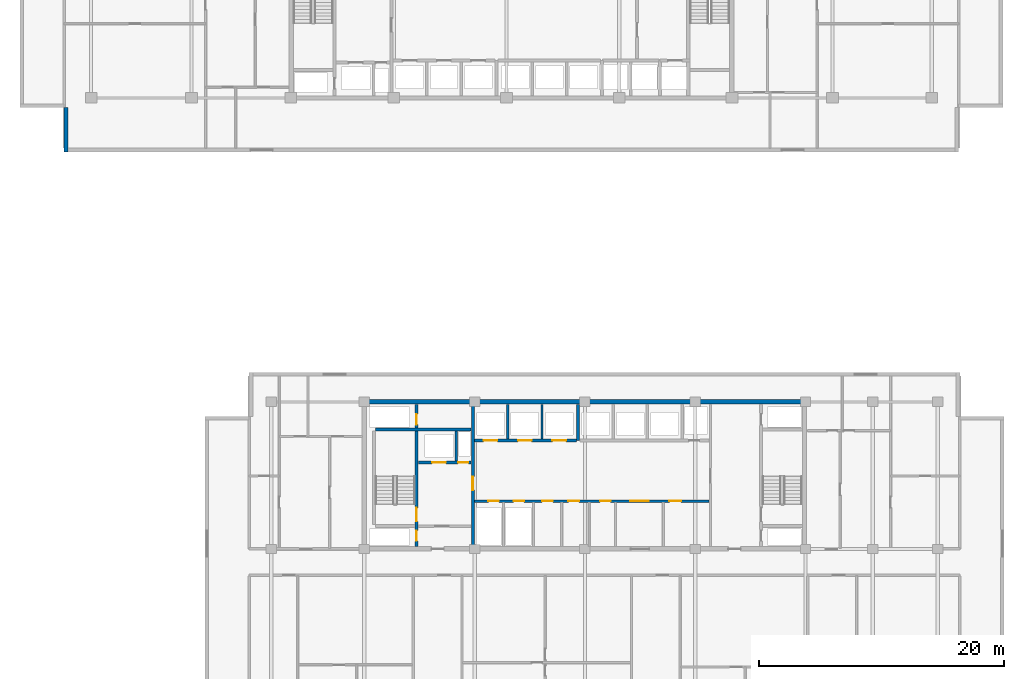
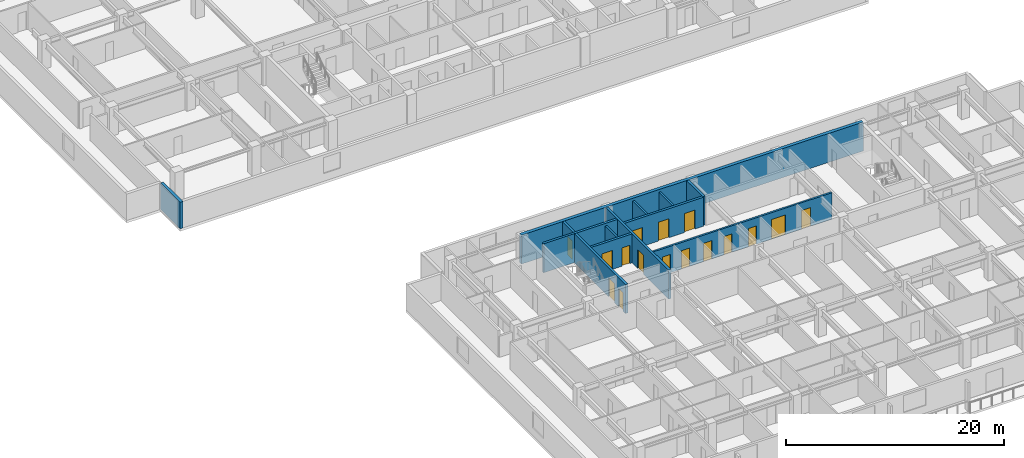
# One storey, part 7 of 22: 16 doors, 12 walls, 16 openings.
"""IFC4 building model written with IfcOpenShell, lengths in metres."""

from ifc_helpers import new_model, si_unit, direction, frame, frame_2d, origin, place, context, subcontext, project, spatial, rectangle, extrude, material, layer, layer_set, type_object, element, fill, save


model = new_model("IFC4")

# Units and contexts
model_context = context("Model", 3, precision=1e-05, world=origin(), true_north=direction((0.0, 1.0)))
body_context = subcontext(model_context, "Body", "Model", "MODEL_VIEW")
ifc_project = project(units=[si_unit("LENGTHUNIT", "METRE"), si_unit("AREAUNIT", "SQUARE_METRE"), si_unit("VOLUMEUNIT", "CUBIC_METRE"), si_unit("PLANEANGLEUNIT", "RADIAN"), si_unit("MASSUNIT", "GRAM", prefix="KILO")], contexts=[model_context])

# Site, building, storey
site_placement = place(None, origin())
site = spatial("IfcSite", under=ifc_project, at=site_placement, CompositionType="ELEMENT")
building_placement = place(site_placement, origin())
building = spatial("IfcBuilding", under=site, at=building_placement, Name="Korimba Cascade Residences", CompositionType="ELEMENT")
storey_placement = place(building_placement, frame((0.0, 0.0, 87.300048828125)))
storey = spatial("IfcBuildingStorey", under=building, at=storey_placement, Name="L24", CompositionType="ELEMENT", Elevation=87.300048828125)

# Walls
ifc_material_1 = material(Name="Precast concrete C40/50", Category="concrete")
ifc_layer_1 = layer(ifc_material_1, 0.300048828125)
ifc_layer_set_1 = layer_set([ifc_layer_1], Name="Precast concrete C40/50")
wall_type_1 = type_object("IfcWallType", Name="EW-STONE-300", PredefinedType="STANDARD", material=ifc_layer_set_1)
wall_1_placement = place(storey_placement, frame((57.75, 54.39990234375, 0.0), z_axis=(0.0, 0.0, 1.0), x_axis=(0.0, -1.0, 0.0)))
element("IfcWall", 1, at=wall_1_placement, inside=storey, type_object=wall_type_1, Name="L24 T1 Perimeter Stone Wall E11", PredefinedType="STANDARD", context=body_context, shape_type="SweptSolid", body=[
    extrude(rectangle(XDim=3.599853515625, YDim=0.300048828125, at=frame_2d((1.7998046875, 0.0))), origin(), (0.0, 0.0, 1.0), 2.969970703125),
])
ifc_material_2 = material(Name="Concrete C65/80", Category="concrete")
ifc_layer_2 = layer(ifc_material_2, 0.35009765625)
ifc_layer_set_2 = layer_set([ifc_layer_2], Name="Concrete C65/80")
wall_type_2 = type_object("IfcWallType", Name="WAL-CORE-350", PredefinedType="SHEAR", material=ifc_layer_set_2)
wall_2_placement = place(storey_placement, frame((81.925048828125, 30.39990234375, 0.0), z_axis=(0.0, 0.0, 1.0), x_axis=(1.0, 0.0, 0.0)))
element("IfcWall", 2, at=wall_2_placement, inside=storey, type_object=wall_type_2, Name="L24 Core Shear Wall CW-L24-T2-N", PredefinedType="SHEAR", context=body_context, shape_type="SweptSolid", body=[
    extrude(rectangle(XDim=36.264892578125, YDim=0.35009765625, at=frame_2d((18.13232421875, 0.0))), origin(), (0.0, 0.0, 1.0), 3.25),
])
ifc_material_3 = material(Name="Concrete C40/50", Category="concrete")
ifc_layer_3 = layer(ifc_material_3, 0.199951171875)
ifc_layer_set_3 = layer_set([ifc_layer_3], Name="Concrete C40/50")
wall_type_3 = type_object("IfcWallType", Name="WAL-PART-200", PredefinedType="PARTITIONING", material=ifc_layer_set_3)
wall_3_placement = place(storey_placement, frame((89.60009765625, 25.580078125, 0.0), z_axis=(0.0, 0.0, 1.0), x_axis=(0.0, 1.0, 0.0)))
element("IfcWall", 3, at=wall_3_placement, inside=storey, type_object=wall_type_3, Name="L24 Partition Wall CW-L24-T2-FFLDIV", PredefinedType="PARTITIONING", context=body_context, shape_type="SweptSolid", body=[
    extrude(rectangle(XDim=2.419921875, YDim=0.199951171875, at=frame_2d((1.2099609375, 0.0))), origin(), (0.0, 0.0, 1.0), 2.969970703125),
])
for number, where, z_axis, x_axis, name in (
    (4, (93.800048828125, 27.3798828125, 0.0), (0.0, 0.0, 1.0), (0.0, 1.0, 0.0), "L24 Partition Wall CW-L24-T2-B1D1"),
    (5, (96.60009765625, 27.3798828125, 0.0), (0.0, 0.0, 1.0), (0.0, 1.0, 0.0), "L24 Partition Wall CW-L24-T2-B1D2"),
):
    element("IfcWall", number, at=place(storey_placement, frame(where, z_axis=z_axis, x_axis=x_axis)), inside=storey, type_object=wall_type_3, Name=name, PredefinedType="PARTITIONING", context=body_context, shape_type="SweptSolid", body=[
        extrude(rectangle(XDim=2.820068359375, YDim=0.199951171875, at=frame_2d((1.41015625, 0.0))), origin(), (0.0, 0.0, 1.0), 2.969970703125),
    ])

# Wall, openings, doors
wall_4_placement = place(storey_placement, frame((91.080078125, 22.300048828125, 0.0), z_axis=(0.0, 0.0, 1.0), x_axis=(1.0, 0.0, 0.0)))
wall_4 = element("IfcWall", 6, at=wall_4_placement, inside=storey, type_object=wall_type_3, Name="L24 Partition Wall CW-L24-T2-SRVROW", PredefinedType="PARTITIONING", context=body_context, shape_type="SweptSolid", body=[
    extrude(rectangle(XDim=19.139892578125, YDim=0.199951171875, at=frame_2d((9.56982421875, 0.0))), origin(), (0.0, 0.0, 1.0), 2.969970703125),
])
opening_1_placement = place(wall_4_placement, frame((1.14990234375, 0.0, 0.0)))
opening_1 = element("IfcOpeningElement", 7, at=opening_1_placement, cuts=wall_4, Name="Opening D-RS1", PredefinedType="OPENING", context=body_context, shape_type="SweptSolid", body=[
    extrude(rectangle(XDim=0.85009765625, YDim=2.050048828125, at=frame_2d((0.425048828125, 1.02490234375))), frame((0.0, 0.10986328125, 0.0), z_axis=(0.0, -1.0, 0.0), x_axis=(1.0, 0.0, 0.0)), (0.0, 0.0, 1.0), 0.219970703125),
])
opening_2_placement = place(wall_4_placement, frame((3.199951171875, 0.0, 0.0)))
opening_2 = element("IfcOpeningElement", 8, at=opening_2_placement, cuts=wall_4, Name="Opening D-RS1", PredefinedType="OPENING", context=body_context, shape_type="SweptSolid", body=[
    extrude(rectangle(XDim=0.85009765625, YDim=2.050048828125, at=frame_2d((0.425048828125, 1.02490234375))), frame((0.0, 0.10986328125, 0.0), z_axis=(0.0, -1.0, 0.0), x_axis=(1.0, 0.0, 0.0)), (0.0, 0.0, 1.0), 0.219970703125),
])
opening_3_placement = place(wall_4_placement, frame((12.719970703125, 0.0, 0.0)))
opening_3 = element("IfcOpeningElement", 9, at=opening_3_placement, cuts=wall_4, Name="Opening D-FD8", PredefinedType="OPENING", context=body_context, shape_type="SweptSolid", body=[
    extrude(rectangle(XDim=1.5, YDim=2.199951171875, at=frame_2d((0.75, 1.10009765625))), frame((0.0, 0.10986328125, 0.0), z_axis=(0.0, -1.0, 0.0), x_axis=(1.0, 0.0, 0.0)), (0.0, 0.0, 1.0), 0.219970703125),
])
opening_4_placement = place(wall_4_placement, frame((5.52001953125, 0.0, 0.0)))
opening_4 = element("IfcOpeningElement", 10, at=opening_4_placement, cuts=wall_4, Name="Opening D-IN2", PredefinedType="OPENING", context=body_context, shape_type="SweptSolid", body=[
    extrude(rectangle(XDim=0.8798828125, YDim=2.06005859375, at=frame_2d((0.43994140625, 1.030029296875))), frame((0.0, 0.10986328125, 0.0), z_axis=(0.0, -1.0, 0.0), x_axis=(1.0, 0.0, 0.0)), (0.0, 0.0, 1.0), 0.219970703125),
])
opening_5_placement = place(wall_4_placement, frame((7.669921875, 0.0, 0.0)))
opening_5 = element("IfcOpeningElement", 11, at=opening_5_placement, cuts=wall_4, Name="Opening D-IN2", PredefinedType="OPENING", context=body_context, shape_type="SweptSolid", body=[
    extrude(rectangle(XDim=0.8798828125, YDim=2.06005859375, at=frame_2d((0.43994140625, 1.030029296875))), frame((0.0, 0.10986328125, 0.0), z_axis=(0.0, -1.0, 0.0), x_axis=(1.0, 0.0, 0.0)), (0.0, 0.0, 1.0), 0.219970703125),
])
opening_6_placement = place(wall_4_placement, frame((10.27001953125, 0.0, 0.0)))
opening_6 = element("IfcOpeningElement", 12, at=opening_6_placement, cuts=wall_4, Name="Opening D-RS1", PredefinedType="OPENING", context=body_context, shape_type="SweptSolid", body=[
    extrude(rectangle(XDim=0.85009765625, YDim=2.050048828125, at=frame_2d((0.425048828125, 1.02490234375))), frame((0.0, 0.10986328125, 0.0), z_axis=(0.0, -1.0, 0.0), x_axis=(1.0, 0.0, 0.0)), (0.0, 0.0, 1.0), 0.219970703125),
])
opening_7_placement = place(wall_4_placement, frame((15.919921875, 0.0, 0.0)))
opening_7 = element("IfcOpeningElement", 13, at=opening_7_placement, cuts=wall_4, Name="Opening D-AC1", PredefinedType="OPENING", context=body_context, shape_type="SweptSolid", body=[
    extrude(rectangle(XDim=0.9599609375, YDim=2.10009765625, at=frame_2d((0.47998046875, 1.050048828125))), frame((0.0, 0.10986328125, 0.0), z_axis=(0.0, -1.0, 0.0), x_axis=(1.0, 0.0, 0.0)), (0.0, 0.0, 1.0), 0.219970703125),
])
ifc_material_4 = material(Name="Accessible Acoustic Timber WC Door", Category="wood")
door_type_1 = type_object("IfcDoorType", Name="DR-ACC-950", OperationType="NOTDEFINED", PredefinedType="DOOR", material=ifc_material_4)
door_1_placement = place(opening_7_placement, origin())
door_1 = element("IfcDoor", 14, at=door_1_placement, inside=storey, type_object=door_type_1, Name="L24 T2 Accessible Staff WC Door", OperationType="SINGLE_SWING_RIGHT", OverallHeight=2.10009765625, OverallWidth=0.9599609375, PredefinedType="DOOR", context=body_context, shape_type="SweptSolid", body=[
    extrude(rectangle(XDim=0.9599609375, YDim=2.10009765625, at=frame_2d((0.47998046875, 1.050048828125))), frame((0.0, 0.02490234375, 0.0), z_axis=(0.0, -1.0, 0.0), x_axis=(1.0, 0.0, 0.0)), (0.0, 0.0, 1.0), 0.050048828125),
])
fill(opening_7, door_1)
ifc_material_5 = material(Name="Fire-Rated Steel Riser Access Door", Category="steel")
door_type_2 = type_object("IfcDoorType", Name="DR-FD60-850", OperationType="NOTDEFINED", PredefinedType="DOOR", material=ifc_material_5)
door_2_placement = place(opening_1_placement, origin())
door_2 = element("IfcDoor", 15, at=door_2_placement, inside=storey, type_object=door_type_2, Name="L24 T2 Electrical Riser Door", OperationType="SINGLE_SWING_LEFT", OverallHeight=2.050048828125, OverallWidth=0.85009765625, PredefinedType="DOOR", context=body_context, shape_type="SweptSolid", body=[
    extrude(rectangle(XDim=0.85009765625, YDim=2.050048828125, at=frame_2d((0.425048828125, 1.02490234375))), frame((0.0, 0.02490234375, 0.0), z_axis=(0.0, -1.0, 0.0), x_axis=(1.0, 0.0, 0.0)), (0.0, 0.0, 1.0), 0.050048828125),
])
fill(opening_1, door_2)
door_3_placement = place(opening_2_placement, origin())
door_3 = element("IfcDoor", 16, at=door_3_placement, inside=storey, type_object=door_type_2, Name="L24 T2 Plumbing Riser Door", OperationType="SINGLE_SWING_RIGHT", OverallHeight=2.050048828125, OverallWidth=0.85009765625, PredefinedType="DOOR", context=body_context, shape_type="SweptSolid", body=[
    extrude(rectangle(XDim=0.85009765625, YDim=2.050048828125, at=frame_2d((0.425048828125, 1.02490234375))), frame((0.0, 0.02490234375, 0.0), z_axis=(0.0, -1.0, 0.0), x_axis=(1.0, 0.0, 0.0)), (0.0, 0.0, 1.0), 0.050048828125),
])
fill(opening_2, door_3)
door_4_placement = place(opening_6_placement, origin())
door_4 = element("IfcDoor", 17, at=door_4_placement, inside=storey, type_object=door_type_2, Name="L24 T2 IT Room Door", OperationType="SINGLE_SWING_LEFT", OverallHeight=2.050048828125, OverallWidth=0.85009765625, PredefinedType="DOOR", context=body_context, shape_type="SweptSolid", body=[
    extrude(rectangle(XDim=0.85009765625, YDim=2.050048828125, at=frame_2d((0.425048828125, 1.02490234375))), frame((0.0, 0.02490234375, 0.0), z_axis=(0.0, -1.0, 0.0), x_axis=(1.0, 0.0, 0.0)), (0.0, 0.0, 1.0), 0.050048828125),
])
fill(opening_6, door_4)
ifc_material_6 = material(Name="Fire-Rated Glazed Lift Lobby Double Door", Category="glass")
door_type_3 = type_object("IfcDoorType", Name="DR-FD90-1500", OperationType="NOTDEFINED", PredefinedType="DOOR", material=ifc_material_6)
door_5_placement = place(opening_3_placement, origin())
door_5 = element("IfcDoor", 18, at=door_5_placement, inside=storey, type_object=door_type_3, Name="L24 T2 Lift Lobby Foyer Door", OperationType="DOUBLE_DOOR_SINGLE_SWING", OverallHeight=2.199951171875, OverallWidth=1.5, PredefinedType="DOOR", context=body_context, shape_type="SweptSolid", body=[
    extrude(rectangle(XDim=1.5, YDim=2.199951171875, at=frame_2d((0.75, 1.10009765625))), frame((0.0, 0.02490234375, 0.0), z_axis=(0.0, -1.0, 0.0), x_axis=(1.0, 0.0, 0.0)), (0.0, 0.0, 1.0), 0.050048828125),
])
fill(opening_3, door_5)
ifc_material_7 = material(Name="Acoustic Timber Bedroom Door", Category="wood")
door_type_4 = type_object("IfcDoorType", Name="DR-INT-880", OperationType="NOTDEFINED", PredefinedType="DOOR", material=ifc_material_7)
door_6_placement = place(opening_4_placement, origin())
door_6 = element("IfcDoor", 19, at=door_6_placement, inside=storey, type_object=door_type_4, Name="L24 T2 Cleaners Door", OperationType="SINGLE_SWING_LEFT", OverallHeight=2.06005859375, OverallWidth=0.8798828125, PredefinedType="DOOR", context=body_context, shape_type="SweptSolid", body=[
    extrude(rectangle(XDim=0.8798828125, YDim=2.06005859375, at=frame_2d((0.43994140625, 1.030029296875))), frame((0.0, 0.02490234375, 0.0), z_axis=(0.0, -1.0, 0.0), x_axis=(1.0, 0.0, 0.0)), (0.0, 0.0, 1.0), 0.050048828125),
])
fill(opening_4, door_6)
door_7_placement = place(opening_5_placement, origin())
door_7 = element("IfcDoor", 20, at=door_7_placement, inside=storey, type_object=door_type_4, Name="L24 T2 Pantry Door", OperationType="SINGLE_SWING_RIGHT", OverallHeight=2.06005859375, OverallWidth=0.8798828125, PredefinedType="DOOR", context=body_context, shape_type="SweptSolid", body=[
    extrude(rectangle(XDim=0.8798828125, YDim=2.06005859375, at=frame_2d((0.43994140625, 1.030029296875))), frame((0.0, 0.02490234375, 0.0), z_axis=(0.0, -1.0, 0.0), x_axis=(1.0, 0.0, 0.0)), (0.0, 0.0, 1.0), 0.050048828125),
])
fill(opening_5, door_7)

ifc_material_8 = material(Name="Concrete C50/60", Category="concrete")
ifc_layer_4 = layer(ifc_material_8, 0.25)
ifc_layer_set_4 = layer_set([ifc_layer_4], Name="Concrete C50/60")
wall_type_4 = type_object("IfcWallType", Name="WAL-SHAFT-250", PredefinedType="SHEAR", material=ifc_layer_set_4)
wall_5_placement = place(storey_placement, frame((86.364990234375, 18.60009765625, 0.0), z_axis=(0.0, 0.0, 1.0), x_axis=(0.0, 1.0, 0.0)))
wall_5 = element("IfcWall", 21, at=wall_5_placement, inside=storey, type_object=wall_type_4, Name="L24 Core Shear Wall CW-L24-T2-STE1E", PredefinedType="SHEAR", context=body_context, shape_type="SweptSolid", body=[
    extrude(rectangle(XDim=11.599853515625, YDim=0.25, at=frame_2d((5.7998046875, 0.0))), origin(), (0.0, 0.0, 1.0), 3.25),
])
opening_8_placement = place(wall_5_placement, frame((0.449951171875, 0.0, 0.0)))
opening_8 = element("IfcOpeningElement", 22, at=opening_8_placement, cuts=wall_5, Name="Opening D-RS1", PredefinedType="OPENING", context=body_context, shape_type="SweptSolid", body=[
    extrude(rectangle(XDim=0.85009765625, YDim=2.050048828125, at=frame_2d((0.425048828125, 1.02490234375))), frame((0.0, 0.135009765625, 0.0), z_axis=(0.0, -1.0, 0.0), x_axis=(1.0, 0.0, 0.0)), (0.0, 0.0, 1.0), 0.27001953125),
])
opening_9_placement = place(wall_5_placement, frame((2.050048828125, 0.0, 0.0)))
opening_9 = element("IfcOpeningElement", 23, at=opening_9_placement, cuts=wall_5, Name="Opening D-FD1", PredefinedType="OPENING", context=body_context, shape_type="SweptSolid", body=[
    extrude(rectangle(XDim=1.10009765625, YDim=2.10009765625, at=frame_2d((0.550048828125, 1.050048828125))), frame((0.0, 0.135009765625, 0.0), z_axis=(0.0, -1.0, 0.0), x_axis=(1.0, 0.0, 0.0)), (0.0, 0.0, 1.0), 0.27001953125),
])
opening_10_placement = place(wall_5_placement, frame((9.949951171875, 0.0, 0.0)))
opening_10 = element("IfcOpeningElement", 24, at=opening_10_placement, cuts=wall_5, Name="Opening D-RS1", PredefinedType="OPENING", context=body_context, shape_type="SweptSolid", body=[
    extrude(rectangle(XDim=0.85009765625, YDim=2.050048828125, at=frame_2d((0.425048828125, 1.02490234375))), frame((0.0, 0.135009765625, 0.0), z_axis=(0.0, -1.0, 0.0), x_axis=(1.0, 0.0, 0.0)), (0.0, 0.0, 1.0), 0.27001953125),
])
ifc_material_9 = material(Name="Fire-Rated Steel Core Door", Category="steel")
door_type_5 = type_object("IfcDoorType", Name="DR-FD120-1100", OperationType="NOTDEFINED", PredefinedType="DOOR", material=ifc_material_9)
door_8_placement = place(opening_9_placement, origin())
door_8 = element("IfcDoor", 25, at=door_8_placement, inside=storey, type_object=door_type_5, Name="L24 Fire Stair ST-E1 Door", OperationType="SINGLE_SWING_LEFT", OverallHeight=2.10009765625, OverallWidth=1.10009765625, PredefinedType="DOOR", context=body_context, shape_type="SweptSolid", body=[
    extrude(rectangle(XDim=1.10009765625, YDim=2.10009765625, at=frame_2d((0.550048828125, 1.050048828125))), frame((0.0, 0.02490234375, 0.0), z_axis=(0.0, -1.0, 0.0), x_axis=(1.0, 0.0, 0.0)), (0.0, 0.0, 1.0), 0.050048828125),
])
fill(opening_9, door_8)
door_9_placement = place(opening_8_placement, origin())
door_9 = element("IfcDoor", 26, at=door_9_placement, inside=storey, type_object=door_type_2, Name="L24 T2 Hydrant Riser Door", OperationType="SINGLE_SWING_RIGHT", OverallHeight=2.050048828125, OverallWidth=0.85009765625, PredefinedType="DOOR", context=body_context, shape_type="SweptSolid", body=[
    extrude(rectangle(XDim=0.85009765625, YDim=2.050048828125, at=frame_2d((0.425048828125, 1.02490234375))), frame((0.0, 0.02490234375, 0.0), z_axis=(0.0, -1.0, 0.0), x_axis=(1.0, 0.0, 0.0)), (0.0, 0.0, 1.0), 0.050048828125),
])
fill(opening_8, door_9)
door_10_placement = place(opening_10_placement, origin())
door_10 = element("IfcDoor", 27, at=door_10_placement, inside=storey, type_object=door_type_2, Name="L24 T2 Smoke Shaft Door", OperationType="SINGLE_SWING_RIGHT", OverallHeight=2.050048828125, OverallWidth=0.85009765625, PredefinedType="DOOR", context=body_context, shape_type="SweptSolid", body=[
    extrude(rectangle(XDim=0.85009765625, YDim=2.050048828125, at=frame_2d((0.425048828125, 1.02490234375))), frame((0.0, 0.02490234375, 0.0), z_axis=(0.0, -1.0, 0.0), x_axis=(1.0, 0.0, 0.0)), (0.0, 0.0, 1.0), 0.050048828125),
])
fill(opening_10, door_10)

# Wall
wall_6_placement = place(storey_placement, frame((83.0, 28.125, 0.0), z_axis=(0.0, 0.0, 1.0), x_axis=(1.0, 0.0, 0.0)))
element("IfcWall", 28, at=wall_6_placement, inside=storey, type_object=wall_type_4, Name="L24 Core Shear Wall CW-L24-T2-STE1N", PredefinedType="SHEAR", context=body_context, shape_type="SweptSolid", body=[
    extrude(rectangle(XDim=7.820068359375, YDim=0.25, at=frame_2d((3.91015625, 0.0))), origin(), (0.0, 0.0, 1.0), 3.25),
])

# Wall, openings, doors
wall_7_placement = place(storey_placement, frame((86.5, 25.449951171875, 0.0), z_axis=(0.0, 0.0, 1.0), x_axis=(1.0, 0.0, 0.0)))
wall_7 = element("IfcWall", 29, at=wall_7_placement, inside=storey, type_object=wall_type_4, Name="L24 Core Shear Wall CW-L24-T2-FFLN", PredefinedType="SHEAR", context=body_context, shape_type="SweptSolid", body=[
    extrude(rectangle(XDim=4.320068359375, YDim=0.25, at=frame_2d((2.16015625, 0.0))), origin(), (0.0, 0.0, 1.0), 3.25),
])
opening_11_placement = place(wall_7_placement, frame((1.139892578125, 0.0, 0.0)))
opening_11 = element("IfcOpeningElement", 30, at=opening_11_placement, cuts=wall_7, Name="Opening LD-01", PredefinedType="OPENING", context=body_context, shape_type="SweptSolid", body=[
    extrude(rectangle(XDim=1.1201171875, YDim=2.1201171875, at=frame_2d((0.56005859375, 1.06005859375))), frame((0.0, 0.135009765625, 0.0), z_axis=(0.0, -1.0, 0.0), x_axis=(1.0, 0.0, 0.0)), (0.0, 0.0, 1.0), 0.27001953125),
])
opening_12_placement = place(wall_7_placement, frame((3.25, 0.0, 0.0)))
opening_12 = element("IfcOpeningElement", 31, at=opening_12_placement, cuts=wall_7, Name="Opening D-RS1", PredefinedType="OPENING", context=body_context, shape_type="SweptSolid", body=[
    extrude(rectangle(XDim=0.85009765625, YDim=2.050048828125, at=frame_2d((0.425048828125, 1.02490234375))), frame((0.0, 0.135009765625, 0.0), z_axis=(0.0, -1.0, 0.0), x_axis=(1.0, 0.0, 0.0)), (0.0, 0.0, 1.0), 0.27001953125),
])
door_11_placement = place(opening_12_placement, origin())
door_11 = element("IfcDoor", 32, at=door_11_placement, inside=storey, type_object=door_type_2, Name="L24 T2 Pressurisation Riser Door", OperationType="SINGLE_SWING_LEFT", OverallHeight=2.050048828125, OverallWidth=0.85009765625, PredefinedType="DOOR", context=body_context, shape_type="SweptSolid", body=[
    extrude(rectangle(XDim=0.85009765625, YDim=2.050048828125, at=frame_2d((0.425048828125, 1.02490234375))), frame((0.0, 0.02490234375, 0.0), z_axis=(0.0, -1.0, 0.0), x_axis=(1.0, 0.0, 0.0)), (0.0, 0.0, 1.0), 0.050048828125),
])
fill(opening_12, door_11)
ifc_material_10 = material(Name="Stainless Steel Lift Landing Sliding Door", Category="steel")
door_type_6 = type_object("IfcDoorType", Name="DR-LIFT-1100", OperationType="NOTDEFINED", PredefinedType="DOOR", material=ifc_material_10)
door_12_placement = place(opening_11_placement, origin())
door_12 = element("IfcDoor", 33, at=door_12_placement, inside=storey, type_object=door_type_6, Name="L24 Firefighting Lift Landing Door FFL-E1", OperationType="SLIDING_TO_RIGHT", OverallHeight=2.1201171875, OverallWidth=1.1201171875, PredefinedType="DOOR", context=body_context, shape_type="SweptSolid", body=[
    extrude(rectangle(XDim=1.1201171875, YDim=2.1201171875, at=frame_2d((0.56005859375, 1.06005859375))), frame((0.0, 0.02490234375, 0.0), z_axis=(0.0, -1.0, 0.0), x_axis=(1.0, 0.0, 0.0)), (0.0, 0.0, 1.0), 0.050048828125),
])
fill(opening_11, door_12)

# Wall, opening, door
wall_8_placement = place(storey_placement, frame((90.949951171875, 18.60009765625, 0.0), z_axis=(0.0, 0.0, 1.0), x_axis=(0.0, 1.0, 0.0)))
wall_8 = element("IfcWall", 34, at=wall_8_placement, inside=storey, type_object=wall_type_4, Name="L24 Core Shear Wall CW-L24-T2-FFLE", PredefinedType="SHEAR", context=body_context, shape_type="SweptSolid", body=[
    extrude(rectangle(XDim=11.599853515625, YDim=0.25, at=frame_2d((5.7998046875, 0.0))), origin(), (0.0, 0.0, 1.0), 3.25),
])
opening_13_placement = place(wall_8_placement, frame((4.60009765625, 0.0, 0.0)))
opening_13 = element("IfcOpeningElement", 35, at=opening_13_placement, cuts=wall_8, Name="Opening D-FD1", PredefinedType="OPENING", context=body_context, shape_type="SweptSolid", body=[
    extrude(rectangle(XDim=1.10009765625, YDim=2.10009765625, at=frame_2d((0.550048828125, 1.050048828125))), frame((0.0, 0.135009765625, 0.0), z_axis=(0.0, -1.0, 0.0), x_axis=(1.0, 0.0, 0.0)), (0.0, 0.0, 1.0), 0.27001953125),
])
door_13_placement = place(opening_13_placement, origin())
door_13 = element("IfcDoor", 36, at=door_13_placement, inside=storey, type_object=door_type_5, Name="L24 T2 Firefighting Lobby to Lift Lobby Door", OperationType="SINGLE_SWING_LEFT", OverallHeight=2.10009765625, OverallWidth=1.10009765625, PredefinedType="DOOR", context=body_context, shape_type="SweptSolid", body=[
    extrude(rectangle(XDim=1.10009765625, YDim=2.10009765625, at=frame_2d((0.550048828125, 1.050048828125))), frame((0.0, 0.02490234375, 0.0), z_axis=(0.0, -1.0, 0.0), x_axis=(1.0, 0.0, 0.0)), (0.0, 0.0, 1.0), 0.050048828125),
])
fill(opening_13, door_13)

# Wall, openings, doors
wall_9_placement = place(storey_placement, frame((91.080078125, 27.25, 0.0), z_axis=(0.0, 0.0, 1.0), x_axis=(1.0, 0.0, 0.0)))
wall_9 = element("IfcWall", 37, at=wall_9_placement, inside=storey, type_object=wall_type_4, Name="L24 Core Shear Wall CW-L24-T2-B1S", PredefinedType="SHEAR", context=body_context, shape_type="SweptSolid", body=[
    extrude(rectangle(XDim=8.33984375, YDim=0.25, at=frame_2d((4.169921875, 0.0))), origin(), (0.0, 0.0, 1.0), 3.25),
])
opening_14_placement = place(wall_9_placement, frame((0.760009765625, 0.0, 0.0)))
opening_14 = element("IfcOpeningElement", 38, at=opening_14_placement, cuts=wall_9, Name="Opening LD-01", PredefinedType="OPENING", context=body_context, shape_type="SweptSolid", body=[
    extrude(rectangle(XDim=1.1201171875, YDim=2.1201171875, at=frame_2d((0.56005859375, 1.06005859375))), frame((0.0, 0.135009765625, 0.0), z_axis=(0.0, -1.0, 0.0), x_axis=(1.0, 0.0, 0.0)), (0.0, 0.0, 1.0), 0.27001953125),
])
opening_15_placement = place(wall_9_placement, frame((3.56005859375, 0.0, 0.0)))
opening_15 = element("IfcOpeningElement", 39, at=opening_15_placement, cuts=wall_9, Name="Opening LD-01", PredefinedType="OPENING", context=body_context, shape_type="SweptSolid", body=[
    extrude(rectangle(XDim=1.1201171875, YDim=2.1201171875, at=frame_2d((0.56005859375, 1.06005859375))), frame((0.0, 0.135009765625, 0.0), z_axis=(0.0, -1.0, 0.0), x_axis=(1.0, 0.0, 0.0)), (0.0, 0.0, 1.0), 0.27001953125),
])
opening_16_placement = place(wall_9_placement, frame((6.360107421875, 0.0, 0.0)))
opening_16 = element("IfcOpeningElement", 40, at=opening_16_placement, cuts=wall_9, Name="Opening LD-01", PredefinedType="OPENING", context=body_context, shape_type="SweptSolid", body=[
    extrude(rectangle(XDim=1.1201171875, YDim=2.1201171875, at=frame_2d((0.56005859375, 1.06005859375))), frame((0.0, 0.135009765625, 0.0), z_axis=(0.0, -1.0, 0.0), x_axis=(1.0, 0.0, 0.0)), (0.0, 0.0, 1.0), 0.27001953125),
])
door_14_placement = place(opening_14_placement, origin())
door_14 = element("IfcDoor", 41, at=door_14_placement, inside=storey, type_object=door_type_6, Name="L24 Lift Landing Door PL-E1", OperationType="SLIDING_TO_LEFT", OverallHeight=2.1201171875, OverallWidth=1.1201171875, PredefinedType="DOOR", context=body_context, shape_type="SweptSolid", body=[
    extrude(rectangle(XDim=1.1201171875, YDim=2.1201171875, at=frame_2d((0.56005859375, 1.06005859375))), frame((0.0, 0.02490234375, 0.0), z_axis=(0.0, -1.0, 0.0), x_axis=(1.0, 0.0, 0.0)), (0.0, 0.0, 1.0), 0.050048828125),
])
fill(opening_14, door_14)
door_15_placement = place(opening_15_placement, origin())
door_15 = element("IfcDoor", 42, at=door_15_placement, inside=storey, type_object=door_type_6, Name="L24 Lift Landing Door PL-E2", OperationType="SLIDING_TO_LEFT", OverallHeight=2.1201171875, OverallWidth=1.1201171875, PredefinedType="DOOR", context=body_context, shape_type="SweptSolid", body=[
    extrude(rectangle(XDim=1.1201171875, YDim=2.1201171875, at=frame_2d((0.56005859375, 1.06005859375))), frame((0.0, 0.02490234375, 0.0), z_axis=(0.0, -1.0, 0.0), x_axis=(1.0, 0.0, 0.0)), (0.0, 0.0, 1.0), 0.050048828125),
])
fill(opening_15, door_15)
door_16_placement = place(opening_16_placement, origin())
door_16 = element("IfcDoor", 43, at=door_16_placement, inside=storey, type_object=door_type_6, Name="L24 Lift Landing Door PL-E3", OperationType="SLIDING_TO_LEFT", OverallHeight=2.1201171875, OverallWidth=1.1201171875, PredefinedType="DOOR", context=body_context, shape_type="SweptSolid", body=[
    extrude(rectangle(XDim=1.1201171875, YDim=2.1201171875, at=frame_2d((0.56005859375, 1.06005859375))), frame((0.0, 0.02490234375, 0.0), z_axis=(0.0, -1.0, 0.0), x_axis=(1.0, 0.0, 0.0)), (0.0, 0.0, 1.0), 0.050048828125),
])
fill(opening_16, door_16)

# Wall
wall_10_placement = place(storey_placement, frame((99.550048828125, 27.25, 0.0), z_axis=(0.0, 0.0, 1.0), x_axis=(0.0, 1.0, 0.0)))
element("IfcWall", 44, at=wall_10_placement, inside=storey, type_object=wall_type_4, Name="L24 Core Shear Wall CW-L24-T2-B12DIV", PredefinedType="SHEAR", context=body_context, shape_type="SweptSolid", body=[
    extrude(rectangle(XDim=2.949951171875, YDim=0.25, at=frame_2d((1.47509765625, 0.0))), origin(), (0.0, 0.0, 1.0), 3.25),
])

save(model, "model.ifc")
